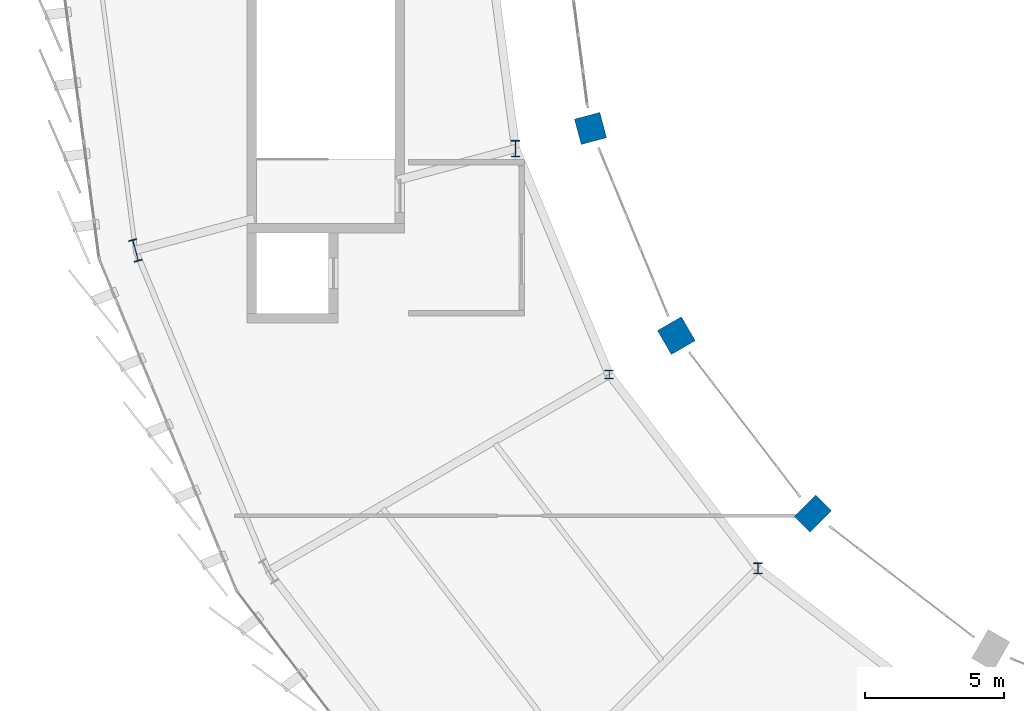
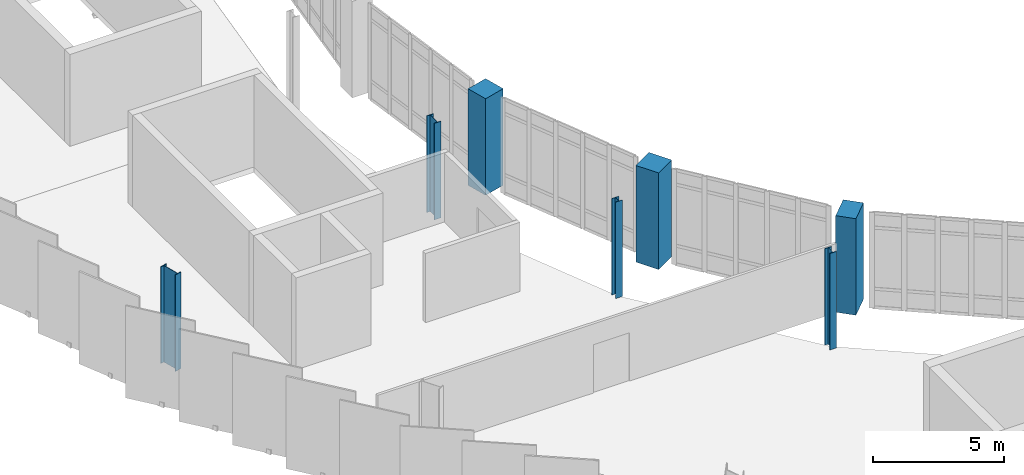
# One storey, part 2 of 67: 7 columns.
"""IFC4 building model written with IfcOpenShell, lengths in metres."""

from ifc_helpers import new_model, si_unit, direction, frame, origin, origin_2d, place, context, subcontext, project, spatial, rectangle, i_section, extrude, material, material_profile, profile_set, type_object, element, save


model = new_model("IFC4")

# Units and contexts
model_context = context("Model", 3, precision=1e-05, world=origin(), true_north=direction((0.0, 1.0)))
body_context = subcontext(model_context, "Body", "Model", "MODEL_VIEW")
ifc_project = project(units=[si_unit("LENGTHUNIT", "METRE"), si_unit("AREAUNIT", "SQUARE_METRE"), si_unit("VOLUMEUNIT", "CUBIC_METRE"), si_unit("PLANEANGLEUNIT", "RADIAN"), si_unit("MASSUNIT", "GRAM", prefix="KILO")], contexts=[model_context])

# Site, building, storey
site_placement = place(None, origin())
site = spatial("IfcSite", under=ifc_project, at=site_placement, CompositionType="ELEMENT")
building_placement = place(site_placement, origin())
building = spatial("IfcBuilding", under=site, at=building_placement, Name="Sohan Crest Arena", CompositionType="ELEMENT")
storey_placement = place(building_placement, frame((0.0, 0.0, 22.5)))
storey = spatial("IfcBuildingStorey", under=building, at=storey_placement, Name="L05", CompositionType="ELEMENT", Elevation=22.5)

# Columns
ifc_material_1 = material(Name="Concrete C40/50", Category="concrete")
ifc_material_profile_1 = material_profile(ifc_material_1, rectangle(XDim=0.949951171875, YDim=0.949951171875, at=origin_2d()), Name="RC 950x950")
ifc_profile_set_1 = profile_set([ifc_material_profile_1], Name="Concrete C40/50")
column_type_1 = type_object("IfcColumnType", Name="STR-COL-C08", PredefinedType="COLUMN", material=ifc_profile_set_1)
column_1_placement = place(storey_placement, frame((68.055908203125, 69.97705078125, 0.0), z_axis=(0.0, 0.0, 1.0), x_axis=(0.965925826289, 0.258819045103, 0.0)))
element("IfcColumn", 1, at=column_1_placement, inside=storey, type_object=column_type_1, Name="Structural column COL-V1R-08-L05", PredefinedType="COLUMN", context=body_context, shape_type="SweptSolid", body=[
    extrude(rectangle(XDim=0.949951171875, YDim=0.949951171875, at=origin_2d()), origin(), (0.0, 0.0, 1.0), 4.5),
])
ifc_material_profile_2 = material_profile(ifc_material_1, rectangle(XDim=1.0, YDim=1.0, at=origin_2d()), Name="RC 1000x1000")
ifc_profile_set_2 = profile_set([ifc_material_profile_2], Name="Concrete C40/50")
column_type_2 = type_object("IfcColumnType", Name="STR-COL-C09", PredefinedType="COLUMN", material=ifc_profile_set_2)
column_2_placement = place(storey_placement, frame((71.153076171875, 62.5, 0.0), z_axis=(0.0, 0.0, 1.0), x_axis=(0.866025403784, 0.5, 0.0)))
element("IfcColumn", 2, at=column_2_placement, inside=storey, type_object=column_type_2, Name="Structural column COL-V1R-09-L05", PredefinedType="COLUMN", context=body_context, shape_type="SweptSolid", body=[
    extrude(rectangle(XDim=1.0, YDim=1.0, at=origin_2d()), origin(), (0.0, 0.0, 1.0), 4.5),
])
ifc_material_profile_3 = material_profile(ifc_material_1, rectangle(XDim=1.10009765625, YDim=0.800048828125, at=origin_2d()), Name="RC 1100x800")
ifc_profile_set_3 = profile_set([ifc_material_profile_3], Name="Concrete C40/50")
column_type_3 = type_object("IfcColumnType", Name="STR-COL-C10", PredefinedType="COLUMN", material=ifc_profile_set_3)
column_3_placement = place(storey_placement, frame((76.080078125, 56.080078125, 0.0), z_axis=(0.0, 0.0, 1.0), x_axis=(0.707106781187, 0.707106781187, 0.0)))
element("IfcColumn", 3, at=column_3_placement, inside=storey, type_object=column_type_3, Name="Structural column COL-V1R-10-L05", PredefinedType="COLUMN", context=body_context, shape_type="SweptSolid", body=[
    extrude(rectangle(XDim=1.10009765625, YDim=0.800048828125, at=origin_2d()), origin(), (0.0, 0.0, 1.0), 4.5),
])
ifc_material_2 = material(Name="Steel S355", Category="steel")
ifc_material_profile_4 = material_profile(ifc_material_2, i_section(OverallWidth=0.300048828125, OverallDepth=0.300048828125, WebThickness=0.010986328125, FlangeThickness=0.01904296875, at=origin_2d()), Name="HEB 300")
ifc_profile_set_4 = profile_set([ifc_material_profile_4], Name="Steel S355")
column_type_4 = type_object("IfcColumnType", Name="STR-COL-C17", PredefinedType="COLUMN", material=ifc_profile_set_4)
column_4_placement = place(storey_placement, frame((68.72802734375, 61.10009765625, 0.0), z_axis=(0.0, 0.0, 1.0), x_axis=(1.0, 0.0, 0.0)))
element("IfcColumn", 4, at=column_4_placement, inside=storey, type_object=column_type_4, Name="Structural column COL-V2I-09-L05", PredefinedType="COLUMN", context=body_context, shape_type="SweptSolid", body=[
    extrude(i_section(OverallWidth=0.300048828125, OverallDepth=0.300048828125, WebThickness=0.010986328125, FlangeThickness=0.01904296875, at=origin_2d()), origin(), (0.0, 0.0, 1.0), 4.5),
])
ifc_material_profile_5 = material_profile(ifc_material_2, i_section(OverallWidth=0.300048828125, OverallDepth=0.39990234375, WebThickness=0.013427734375, FlangeThickness=0.02392578125, at=origin_2d()), Name="HEB 400")
ifc_profile_set_5 = profile_set([ifc_material_profile_5], Name="Steel S355")
column_type_5 = type_object("IfcColumnType", Name="STR-COL-C18", PredefinedType="COLUMN", material=ifc_profile_set_5)
column_5_placement = place(storey_placement, frame((74.10009765625, 54.10009765625, 0.0), z_axis=(0.0, 0.0, 1.0), x_axis=(1.0, 0.0, 0.0)))
element("IfcColumn", 5, at=column_5_placement, inside=storey, type_object=column_type_5, Name="Structural column COL-V2I-10-L05", PredefinedType="COLUMN", context=body_context, shape_type="SweptSolid", body=[
    extrude(i_section(OverallWidth=0.300048828125, OverallDepth=0.39990234375, WebThickness=0.013427734375, FlangeThickness=0.02392578125, at=origin_2d()), origin(), (0.0, 0.0, 1.0), 4.5),
])
ifc_material_profile_6 = material_profile(ifc_material_2, i_section(OverallWidth=0.300048828125, OverallDepth=0.60009765625, WebThickness=0.015380859375, FlangeThickness=0.030029296875, at=origin_2d()), Name="HEB 600")
ifc_profile_set_6 = profile_set([ifc_material_profile_6], Name="Steel S355")
column_type_6 = type_object("IfcColumnType", Name="STR-COL-C20", PredefinedType="COLUMN", material=ifc_profile_set_6)
column_6_placement = place(storey_placement, frame((65.35205078125, 69.251953125, 0.0), z_axis=(0.0, 0.0, 1.0), x_axis=(1.0, 0.0, 0.0)))
element("IfcColumn", 6, at=column_6_placement, inside=storey, type_object=column_type_6, Name="Structural column COL-V2I-08-L05", PredefinedType="COLUMN", context=body_context, shape_type="SweptSolid", body=[
    extrude(i_section(OverallWidth=0.300048828125, OverallDepth=0.60009765625, WebThickness=0.015380859375, FlangeThickness=0.030029296875, at=origin_2d()), origin(), (0.0, 0.0, 1.0), 4.5),
])
ifc_material_profile_7 = material_profile(ifc_material_2, i_section(OverallWidth=0.300048828125, OverallDepth=0.800048828125, WebThickness=0.017578125, FlangeThickness=0.032958984375, at=origin_2d()), Name="HEB 800")
ifc_profile_set_7 = profile_set([ifc_material_profile_7], Name="Steel S355")
column_type_7 = type_object("IfcColumnType", Name="STR-COL-C22", PredefinedType="COLUMN", material=ifc_profile_set_7)
column_7_placement = place(storey_placement, frame((51.635986328125, 65.576904296875, 0.0), z_axis=(0.0, 0.0, 1.0), x_axis=(0.965925826289, 0.258819045103, 0.0)))
element("IfcColumn", 7, at=column_7_placement, inside=storey, type_object=column_type_7, Name="Structural column COL-V2O-08-L05", PredefinedType="COLUMN", context=body_context, shape_type="SweptSolid", body=[
    extrude(i_section(OverallWidth=0.300048828125, OverallDepth=0.800048828125, WebThickness=0.017578125, FlangeThickness=0.032958984375, at=origin_2d()), origin(), (0.0, 0.0, 1.0), 4.5),
])

save(model, "model.ifc")
